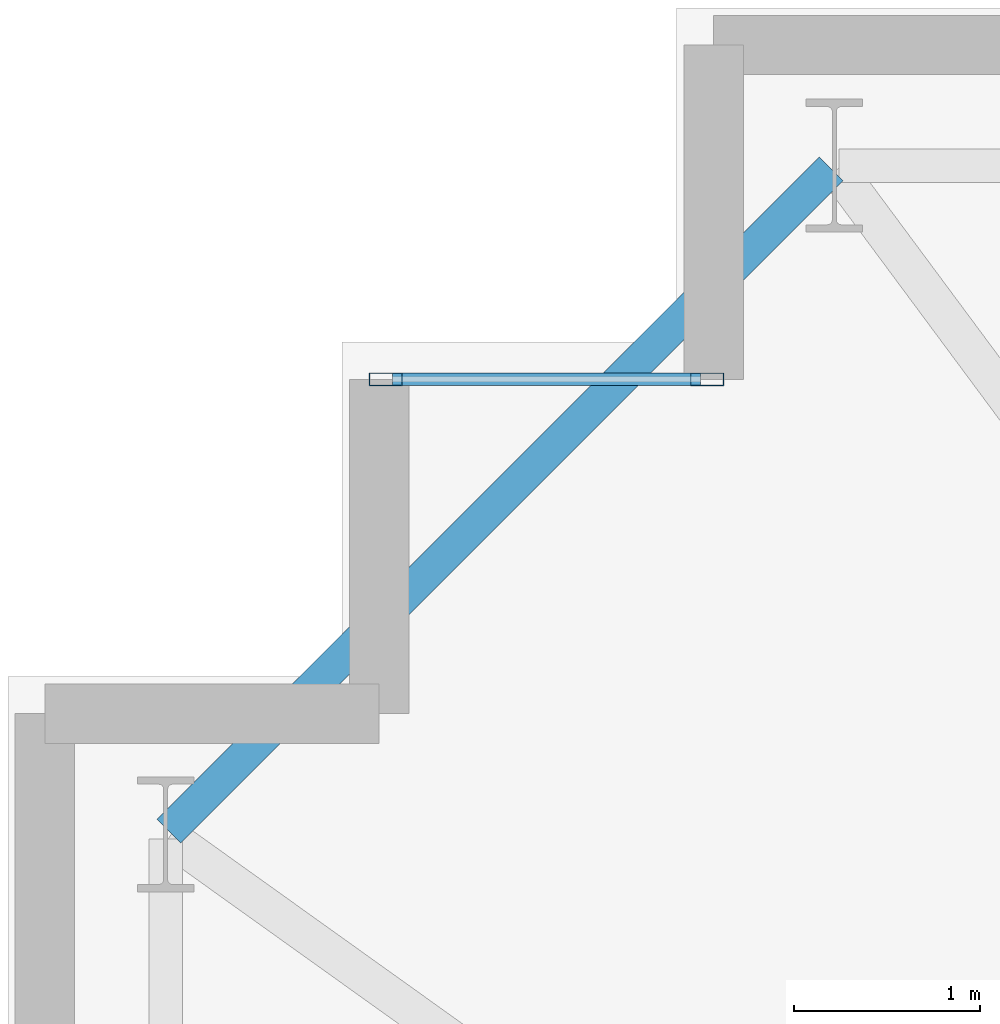
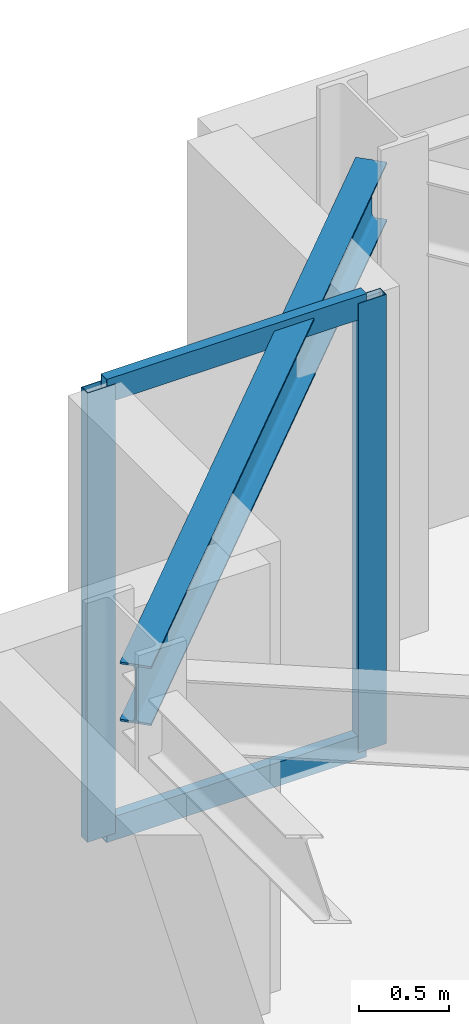
# One storey, part 8 of 22: 4 members, 1 beam, 1 element without a shape of its own.
"""IFC4 building model written with IfcOpenShell, lengths in metres."""

import ifcopenshell
import ifcopenshell.guid

model = None  # the IFC model being written
_history = None  # IfcOwnerHistory: only IFC2X3 demands one
_inside = {}  # id of a spatial element -> (the spatial element, [elements in it])
_under = {}  # id of a project, library or spatial element -> (it, [spatial elements below it])
_declared = {}  # id of a project -> (the project, [libraries it declares])
_typed = {}  # id of a type object -> (the type object, [elements of that type])
_made_of = {}  # id of a material, layer set ... -> (it, [elements and type objects made of it])


def new_model(schema):
    """Start an empty IFC model of exactly this schema.

    Asked for "IFC4X3", IfcOpenShell would pick the latest addendum, in which some entities
    have other attributes; the version numbers below select the first issue.
    IFC2X3 requires an IfcOwnerHistory on every rooted entity: one is made here for all.
    """
    global model, _history
    if schema == "IFC4X3":
        model = ifcopenshell.file(schema_version=(4, 3, 0, 0))
    else:
        model = ifcopenshell.file(schema=schema)
    _inside.clear()
    _under.clear()
    _declared.clear()
    _typed.clear()
    _made_of.clear()
    _history = None
    if model.schema == "IFC2X3":
        org = make("IfcOrganization", Name="unknown")
        user = make(
            "IfcPersonAndOrganization",
            ThePerson=make("IfcPerson", FamilyName="unknown"),
            TheOrganization=org,
        )
        app = make(
            "IfcApplication",
            ApplicationDeveloper=org,
            Version="unknown",
            ApplicationFullName="unknown",
            ApplicationIdentifier="unknown",
        )
        _history = make(
            "IfcOwnerHistory",
            OwningUser=user,
            OwningApplication=app,
            ChangeAction="ADDED",
            CreationDate=0,
        )
    return model


def make(cls, **values):
    """One entity of the class cls with the attributes given. An attribute that is None is left unset."""
    return model.create_entity(
        cls, **{name: value for name, value in values.items() if value is not None}
    )


def rooted(cls, **values):
    """An entity with a GlobalId (a new one), such as an element, a storey or a relation."""
    return make(cls, GlobalId=ifcopenshell.guid.new(), OwnerHistory=_history, **values)


def si_unit(unit_type, name, prefix=None):
    """IfcSIUnit, for example si_unit("LENGTHUNIT", "METRE", prefix="MILLI")."""
    return make("IfcSIUnit", UnitType=unit_type, Prefix=prefix, Name=name)


def assignment(units):
    """IfcUnitAssignment: the units of a project."""
    return None if units is None else make("IfcUnitAssignment", Units=units)


def point(xyz):
    """IfcCartesianPoint."""
    return None if xyz is None else make("IfcCartesianPoint", Coordinates=xyz)


def direction(xyz):
    """IfcDirection."""
    return None if xyz is None else make("IfcDirection", DirectionRatios=xyz)


def frame(location, z_axis=None, x_axis=None):
    """IfcAxis2Placement3D, a coordinate frame: its origin and axes. An axis left out is left unset."""
    return make(
        "IfcAxis2Placement3D",
        Location=point(location),
        Axis=direction(z_axis),
        RefDirection=direction(x_axis),
    )


def frame_2d(location, x_axis=None):
    """IfcAxis2Placement2D, a coordinate frame in the plane: its origin and x axis."""
    return make(
        "IfcAxis2Placement2D", Location=point(location), RefDirection=direction(x_axis)
    )


def origin():
    """The frame at (0, 0, 0) with its axes left unset."""
    return frame((0.0, 0.0, 0.0))


def origin_2d():
    """The frame at (0, 0) in the plane with its x axis left unset."""
    return frame_2d((0.0, 0.0))


def place(relative_to, where):
    """IfcLocalPlacement: puts the frame where relative to a parent placement (None: the world)."""
    return make(
        "IfcLocalPlacement", PlacementRelTo=relative_to, RelativePlacement=where
    )


def context(
    kind, dimensions, precision=None, world=None, true_north=None, identifier=None
):
    """IfcGeometricRepresentationContext, for example the 3D "Model" context."""
    return make(
        "IfcGeometricRepresentationContext",
        ContextIdentifier=identifier,
        ContextType=kind,
        CoordinateSpaceDimension=dimensions,
        Precision=precision,
        WorldCoordinateSystem=world,
        TrueNorth=true_north,
    )


def subcontext(parent, identifier, kind, view, scale=None):
    """IfcGeometricRepresentationSubContext, for example "Body" below "Model"."""
    return make(
        "IfcGeometricRepresentationSubContext",
        ContextIdentifier=identifier,
        ContextType=kind,
        ParentContext=parent,
        TargetScale=scale,
        TargetView=view,
    )


def project(units=None, contexts=None):
    """IfcProject with its units and contexts."""
    return rooted(
        "IfcProject",
        Name="project",
        RepresentationContexts=contexts,
        UnitsInContext=assignment(units),
    )


def spatial(cls, under=None, at=None, **own):
    """A site, building, storey or space (cls), placed at a placement, below another one or the project."""
    s = rooted(cls, ObjectPlacement=at, **own)
    if under is not None:
        _under.setdefault(under.id(), (under, []))[1].append(s)
    return s


def profile(cls, at=None, kind="AREA", **sizes):
    """A parametric profile (cls). Its sizes go by their IFC names, for example OverallWidth=200.0."""
    return make(cls, ProfileType=kind, Position=at, **sizes)


def hollow_rectangle(**sizes):
    """IfcRectangleHollowProfileDef."""
    return profile("IfcRectangleHollowProfileDef", **sizes)


def i_section(**sizes):
    """IfcIShapeProfileDef."""
    return profile("IfcIShapeProfileDef", **sizes)


def extrude(swept, where, along, depth):
    """IfcExtrudedAreaSolid: the profile swept, set in the frame where, extruded along a direction by depth."""
    return make(
        "IfcExtrudedAreaSolid",
        SweptArea=swept,
        Position=where,
        ExtrudedDirection=direction(along),
        Depth=depth,
    )


def shape(context_of_items, identifier, shape_type, items):
    """IfcShapeRepresentation: the items that make up one representation, for example the "Body"."""
    return make(
        "IfcShapeRepresentation",
        ContextOfItems=context_of_items,
        RepresentationIdentifier=identifier,
        RepresentationType=shape_type,
        Items=items,
    )


def material(Name=None, Category=None):
    """IfcMaterial."""
    return make("IfcMaterial", Name=Name, Category=Category)


def layer(
    of_material, thickness, ventilated=None, Name=None, Category=None, Priority=None
):
    """IfcMaterialLayer: one layer of a wall or slab, of a material (None: an air gap)."""
    return make(
        "IfcMaterialLayer",
        Material=of_material,
        LayerThickness=thickness,
        IsVentilated=ventilated,
        Name=Name,
        Category=Category,
        Priority=Priority,
    )


def layer_set(layers, Name=None):
    """IfcMaterialLayerSet."""
    return make("IfcMaterialLayerSet", MaterialLayers=layers, LayerSetName=Name)


def material_profile(
    of_material, cross_section, Name=None, Category=None, Priority=None
):
    """IfcMaterialProfile: a cross section and its material."""
    return make(
        "IfcMaterialProfile",
        Name=Name,
        Material=of_material,
        Profile=cross_section,
        Priority=Priority,
        Category=Category,
    )


def profile_set(profiles, Name=None, composite=None):
    """IfcMaterialProfileSet."""
    return make(
        "IfcMaterialProfileSet",
        Name=Name,
        MaterialProfiles=profiles,
        CompositeProfile=composite,
    )


def made_of(thing, what):
    """Note that an element or type object is made of a material, layer set ...; save() writes the relation."""
    if what is not None:
        _made_of.setdefault(what.id(), (what, []))[1].append(thing)
    return thing


def type_object(cls, material=None, **own):
    """A type object (cls), such as IfcWallType, which elements share."""
    return made_of(rooted(cls, **own), material)


def element(
    cls,
    number,
    at=None,
    inside=None,
    cuts=None,
    type_object=None,
    material=None,
    context=None,
    identifier="Body",
    shape_type=None,
    held_by="IfcProductDefinitionShape",
    body=None,
    shapes=None,
    **own,
):
    """One element of the class cls, such as IfcWall. Its Tag is "e" and its number.

    at: its placement. inside: the storey or other place that contains it. cuts: it is an
    opening in that element (IfcRelVoidsElement). A single representation is given by context,
    identifier, shape_type and body (its items); several are given by shapes. held_by: the class
    of the entity that holds the representations. save() writes the other relations.
    """
    e = rooted(cls, Tag="e%d" % number, ObjectPlacement=at, **own)
    if body is not None:
        shapes = [shape(context, identifier, shape_type, body)]
    if shapes is not None:
        e.Representation = make(held_by, Representations=shapes)
    if inside is not None:
        _inside.setdefault(inside.id(), (inside, []))[1].append(e)
    if cuts is not None:
        rooted(
            "IfcRelVoidsElement", RelatingBuildingElement=cuts, RelatedOpeningElement=e
        )
    if type_object is not None:
        _typed.setdefault(type_object.id(), (type_object, []))[1].append(e)
    return made_of(e, material)


def aggregate(whole, parts):
    """IfcRelAggregates: a whole, such as a stair, and the parts it consists of."""
    return rooted("IfcRelAggregates", RelatingObject=whole, RelatedObjects=parts)


def save(model, path):
    """Write the relations noted so far, then the file.

    IfcRelAggregates (storeys below a building ...), IfcRelContainedInSpatialStructure (elements
    in a storey), IfcRelDefinesByType, IfcRelAssociatesMaterial and IfcRelDeclares: one each for
    every whole, place, type object, material and project.
    """
    for whole, parts in _under.values():
        aggregate(whole, parts)
    for where, things in _inside.values():
        rooted(
            "IfcRelContainedInSpatialStructure",
            RelatedElements=things,
            RelatingStructure=where,
        )
    for kind, things in _typed.values():
        rooted("IfcRelDefinesByType", RelatedObjects=things, RelatingType=kind)
    for what, things in _made_of.values():
        rooted("IfcRelAssociatesMaterial", RelatedObjects=things, RelatingMaterial=what)
    for by, libraries in _declared.values():
        rooted("IfcRelDeclares", RelatingContext=by, RelatedDefinitions=libraries)
    model.write(path)


model = new_model("IFC4")

# Units and contexts
model_context = context("Model", 3, precision=1e-05, world=origin(), true_north=direction((0.0, 1.0)))
body_context = subcontext(model_context, "Body", "Model", "MODEL_VIEW")
ifc_project = project(units=[si_unit("LENGTHUNIT", "METRE"), si_unit("AREAUNIT", "SQUARE_METRE"), si_unit("VOLUMEUNIT", "CUBIC_METRE"), si_unit("PLANEANGLEUNIT", "RADIAN"), si_unit("MASSUNIT", "GRAM", prefix="KILO")], contexts=[model_context])

# Site, building, storey
site_placement = place(None, origin())
site = spatial("IfcSite", under=ifc_project, at=site_placement, CompositionType="ELEMENT")
building_placement = place(site_placement, origin())
building = spatial("IfcBuilding", under=site, at=building_placement, Name="Qobustan Lattice House", CompositionType="ELEMENT")
storey_placement = place(building_placement, frame((0.0, 0.0, 53.800048828125)))
storey = spatial("IfcBuildingStorey", under=building, at=storey_placement, Name="L14", CompositionType="ELEMENT", Elevation=53.800048828125)

# Beam
ifc_material_1 = material(Name="Steel S355", Category="steel")
ifc_material_profile_1 = material_profile(ifc_material_1, i_section(OverallWidth=0.179931640625, OverallDepth=0.39990234375, WebThickness=0.008544921875, FlangeThickness=0.013427734375, FilletRadius=0.02099609375, at=origin_2d()), Name="IPE400")
ifc_profile_set_1 = profile_set([ifc_material_profile_1], Name="Steel S355")
beam_type = type_object("IfcBeamType", Name="BM-SPD-IPE400", PredefinedType="SPANDREL", material=ifc_profile_set_1)
beam_placement = place(storey_placement, frame((-28.567626953125, 18.732421875, 2.8349609375), z_axis=(-0.707106781187, -0.707106781187, 0.0), x_axis=(0.707106781187, -0.707106781187, 0.0)))
element("IfcBeam", 1, at=beam_placement, inside=storey, type_object=beam_type, Name="L14 perimeter spandrel N7-W1", PredefinedType="SPANDREL", context=body_context, shape_type="SweptSolid", body=[
    extrude(i_section(OverallWidth=0.179931640625, OverallDepth=0.39990234375, WebThickness=0.008544921875, FlangeThickness=0.013427734375, FilletRadius=0.02099609375, at=origin_2d()), origin(), (0.0, 0.0, 1.0), 5.041259765625),
])

# Curtain wall, members
ifc_material_2 = material(Name="Anodised aluminium and low-E glazing", Category="aluminium")
ifc_layer = layer(ifc_material_2, 0.219970703125)
ifc_layer_set = layer_set([ifc_layer], Name="Anodised aluminium and low-E glazing")
curtain_wall_type = type_object("IfcCurtainWallType", Name="CW-FAC-01", PredefinedType="USERDEFINED", material=ifc_layer_set)
curtain_wall_placement = place(storey_placement, origin())
curtain_wall = element("IfcCurtainWall", 2, at=curtain_wall_placement, inside=storey, type_object=curtain_wall_type, Name="L14 serrated corner faceted glazing 8", ObjectType="CURTAIN WALL", PredefinedType="USERDEFINED")
ifc_material_3 = material(Name="Anodised aluminium EN AW-6063 T6", Category="aluminium")
ifc_material_profile_2 = material_profile(ifc_material_3, hollow_rectangle(XDim=0.070068359375, YDim=0.179931640625, WallThickness=0.00439453125, at=origin_2d()), Name="CWM-180x70")
ifc_profile_set_2 = profile_set([ifc_material_profile_2], Name="Anodised aluminium EN AW-6063 T6")
member_type_1 = type_object("IfcMemberType", Name="CWM-STD-180", PredefinedType="MULLION", material=ifc_profile_set_2)
member_1_placement = place(storey_placement, frame((-30.965087890625, 17.60009765625, 0.0), z_axis=(0.0, 0.0, 1.0), x_axis=(0.0, 1.0, 0.0)))
member_1 = element("IfcMember", 3, at=member_1_placement, type_object=member_type_1, Name="CW-F1 mullion 1", PredefinedType="MULLION", context=body_context, shape_type="SweptSolid", body=[
    extrude(hollow_rectangle(XDim=0.070068359375, YDim=0.179931640625, WallThickness=0.00439453125, at=origin_2d()), origin(), (0.0, 0.0, 1.0), 3.034912109375),
])
member_2_placement = place(storey_placement, frame((-29.235107421875, 17.60009765625, 0.0), z_axis=(0.0, 0.0, 1.0), x_axis=(0.0, 1.0, 0.0)))
member_2 = element("IfcMember", 4, at=member_2_placement, type_object=member_type_1, Name="CW-F1 mullion 2", PredefinedType="MULLION", context=body_context, shape_type="SweptSolid", body=[
    extrude(hollow_rectangle(XDim=0.070068359375, YDim=0.179931640625, WallThickness=0.00439453125, at=origin_2d()), origin(), (0.0, 0.0, 1.0), 3.034912109375),
])
ifc_material_4 = material(Name="Anodised aluminium EN AW-6063 T6", Category="aluminium")
ifc_material_profile_3 = material_profile(ifc_material_4, hollow_rectangle(XDim=0.06494140625, YDim=0.159912109375, WallThickness=0.00390625, at=origin_2d()), Name="CWT-160x65")
ifc_profile_set_3 = profile_set([ifc_material_profile_3], Name="Anodised aluminium EN AW-6063 T6")
member_type_2 = type_object("IfcMemberType", Name="CWT-HOR-160", PredefinedType="USERDEFINED", material=ifc_profile_set_3)
member_3_placement = place(storey_placement, frame((-30.929931640625, 17.60009765625, 0.032470703125), z_axis=(1.0, 0.0, 0.0), x_axis=(0.0, 1.0, 0.0)))
member_3 = element("IfcMember", 5, at=member_3_placement, type_object=member_type_2, Name="CW-F1 transom 1.1", ObjectType="TRANSOM", PredefinedType="USERDEFINED", context=body_context, shape_type="SweptSolid", body=[
    extrude(hollow_rectangle(XDim=0.06494140625, YDim=0.159912109375, WallThickness=0.00390625, at=origin_2d()), origin(), (0.0, 0.0, 1.0), 1.659912109375),
])
member_4_placement = place(storey_placement, frame((-30.929931640625, 17.60009765625, 3.00244140625), z_axis=(1.0, 0.0, 0.0), x_axis=(0.0, 1.0, 0.0)))
member_4 = element("IfcMember", 6, at=member_4_placement, type_object=member_type_2, Name="CW-F1 transom 1.2", ObjectType="TRANSOM", PredefinedType="USERDEFINED", context=body_context, shape_type="SweptSolid", body=[
    extrude(hollow_rectangle(XDim=0.06494140625, YDim=0.159912109375, WallThickness=0.00390625, at=origin_2d()), origin(), (0.0, 0.0, 1.0), 1.659912109375),
])
aggregate(curtain_wall, [member_1, member_2, member_3, member_4])

save(model, "model.ifc")
